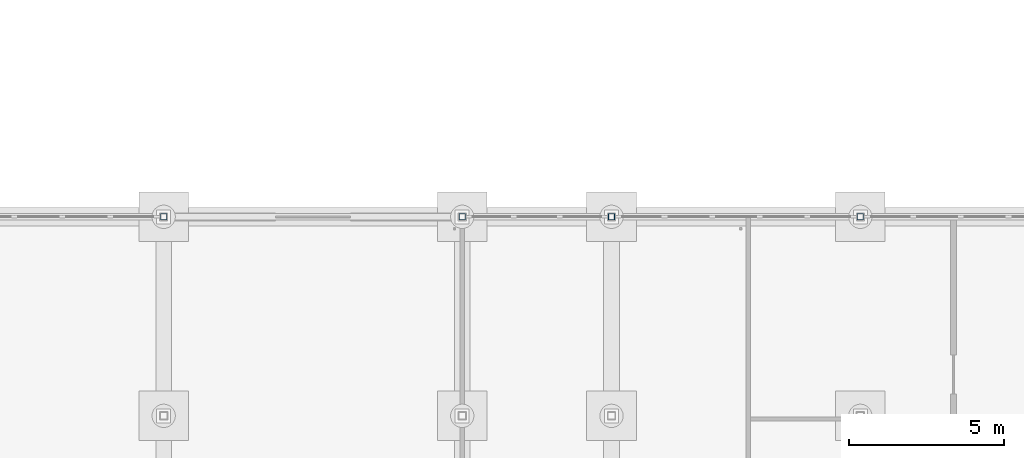
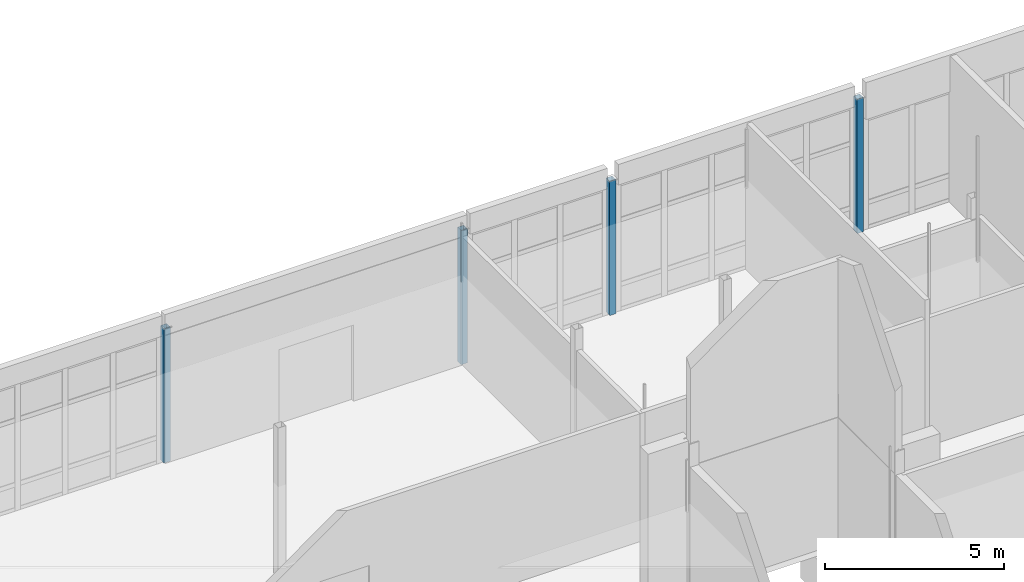
# One storey, part 14 of 111: 4 columns.
"""IFC4 building model written with IfcOpenShell, lengths in metres."""

from ifc_helpers import new_model, si_unit, direction, frame, origin, origin_2d, place, context, subcontext, project, spatial, hollow_rectangle, extrude, material, material_profile, profile_set, type_object, element, save


model = new_model("IFC4")

# Units and contexts
model_context = context("Model", 3, precision=1e-05, world=origin(), true_north=direction((0.0, 1.0)))
body_context = subcontext(model_context, "Body", "Model", "MODEL_VIEW")
ifc_project = project(units=[si_unit("LENGTHUNIT", "METRE"), si_unit("AREAUNIT", "SQUARE_METRE"), si_unit("VOLUMEUNIT", "CUBIC_METRE"), si_unit("PLANEANGLEUNIT", "RADIAN"), si_unit("MASSUNIT", "GRAM", prefix="KILO")], contexts=[model_context])

# Site, building, storey
site_placement = place(None, origin())
site = spatial("IfcSite", under=ifc_project, at=site_placement, CompositionType="ELEMENT")
building_placement = place(site_placement, origin())
building = spatial("IfcBuilding", under=site, at=building_placement, Name="Dunescarp Central Library", CompositionType="ELEMENT")
storey_placement = place(building_placement, origin())
storey = spatial("IfcBuildingStorey", under=building, at=storey_placement, Name="L00", CompositionType="ELEMENT", Elevation=0.0)

# Columns
ifc_material = material(Name="Steel S355J0", Category="steel")
ifc_material_profile = material_profile(ifc_material, hollow_rectangle(XDim=0.199951171875, YDim=0.199951171875, WallThickness=0.008056640625, at=origin_2d()), Name="SHS 200x200x8")
ifc_profile_set = profile_set([ifc_material_profile], Name="Steel S355J0")
column_type = type_object("IfcColumnType", Name="STR-COL-SHS200", PredefinedType="COLUMN", material=ifc_profile_set)
for number, where, z_axis, x_axis, name in (
    (1, (67.199951171875, 49.60009765625, 0.0), (0.0, 0.0, 1.0), (1.0, 0.0, 0.0), "L00 column CLN-672-496"),
    (2, (76.800048828125, 49.60009765625, 0.0), (0.0, 0.0, 1.0), (1.0, 0.0, 0.0), "L00 column CLN-768-496"),
    (3, (81.60009765625, 49.60009765625, 0.0), (0.0, 0.0, 1.0), (1.0, 0.0, 0.0), "L00 column CLN-816-496"),
    (4, (89.60009765625, 49.60009765625, 0.0), (0.0, 0.0, 1.0), (1.0, 0.0, 0.0), "L00 column CLN-896-496"),
):
    element("IfcColumn", number, at=place(storey_placement, frame(where, z_axis=z_axis, x_axis=x_axis)), inside=storey, type_object=column_type, Name=name, PredefinedType="COLUMN", context=body_context, shape_type="SweptSolid", body=[
        extrude(hollow_rectangle(XDim=0.199951171875, YDim=0.199951171875, WallThickness=0.008056640625, at=origin_2d()), origin(), (0.0, 0.0, 1.0), 4.5859375),
    ])

save(model, "model.ifc")
